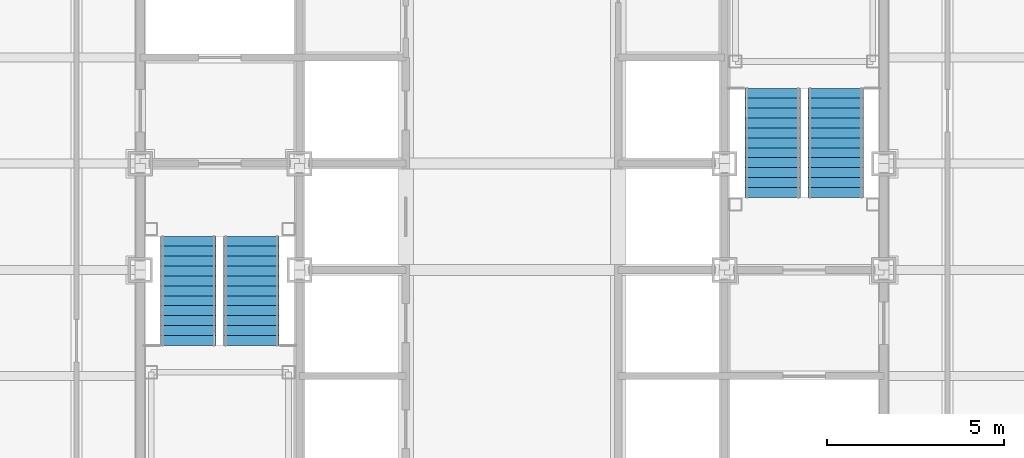
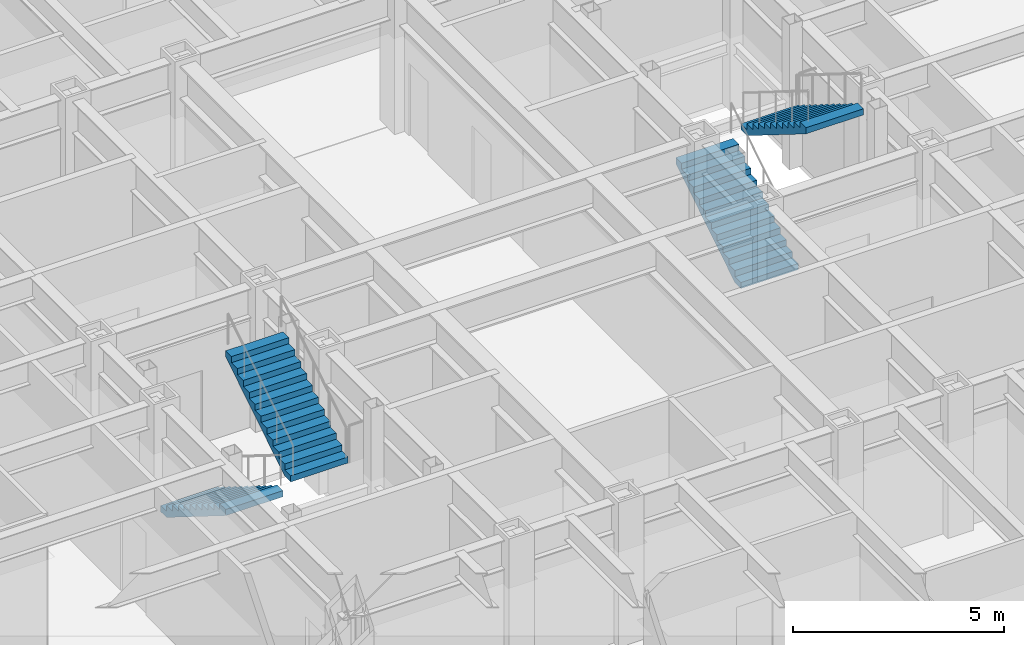
# One storey, part 13 of 16: 4 stair flights, 2 elements without a shape of their own.
"""IFC4 building model written with IfcOpenShell, lengths in metres."""

from ifc_helpers import new_model, si_unit, direction, frame, origin, place, context, subcontext, project, spatial, faceted_brep, material, type_object, element, aggregate, save


model = new_model("IFC4")

# Units and contexts
model_context = context("Model", 3, precision=1e-05, world=origin(), true_north=direction((0.0, 1.0)))
body_context = subcontext(model_context, "Body", "Model", "MODEL_VIEW")
ifc_project = project(units=[si_unit("LENGTHUNIT", "METRE"), si_unit("AREAUNIT", "SQUARE_METRE"), si_unit("VOLUMEUNIT", "CUBIC_METRE"), si_unit("PLANEANGLEUNIT", "RADIAN"), si_unit("MASSUNIT", "GRAM", prefix="KILO")], contexts=[model_context])

# Site, building, storey
site_placement = place(None, origin())
site = spatial("IfcSite", under=ifc_project, at=site_placement, CompositionType="ELEMENT")
building_placement = place(site_placement, origin())
building = spatial("IfcBuilding", under=site, at=building_placement, Name="Chuquiago Exchange Tower", CompositionType="ELEMENT")
storey_placement = place(building_placement, frame((0.0, 0.0, 119.39990234375)))
storey = spatial("IfcBuildingStorey", under=building, at=storey_placement, Name="L25", CompositionType="ELEMENT", Elevation=119.39990234375)

# Stair, stair flights
ifc_material_1 = material(Name="Concrete C30/37, precast", Category="concrete")
stair_type_1 = type_object("IfcStairType", Name="ST1 half-turn stair 4200", PredefinedType="HALF_TURN_STAIR", material=ifc_material_1)
stair_1_placement = place(storey_placement, origin())
stair_1 = element("IfcStair", 1, at=stair_1_placement, inside=storey, type_object=stair_type_1, Name="Stair ST1 L25", PredefinedType="HALF_TURN_STAIR")
ifc_material_2 = material(Name="Concrete C30/37, precast", Category="concrete")
stair_flight_type = type_object("IfcStairFlightType", Name="ST-F flight 1570 for 4200 storey", PredefinedType="STRAIGHT", material=ifc_material_2)
stair_flight_1_placement = place(storey_placement, frame((13.360107421875, 21.949951171875, 0.0), z_axis=(0.0, 0.0, 1.0), x_axis=(0.0, -1.0, 0.0)))
stair_flight_1 = element("IfcStairFlight", 2, at=stair_flight_1_placement, type_object=stair_flight_type, Name="ST1 flight 1", NumberOfRisers=12, NumberOfTreads=11, PredefinedType="STRAIGHT", RiserHeight=0.175, TreadLength=0.28, context=body_context, shape_type="Brep", body=[
    faceted_brep([(0.0, 0.78515625, 0.0), (0.0, 0.78515625, 0.175048828125), (0.280029296875, 0.78515625, 0.175048828125), (0.280029296875, 0.78515625, 0.35009765625), (0.56005859375, 0.78515625, 0.35009765625), (0.56005859375, 0.78515625, 0.52490234375), (0.840087890625, 0.78515625, 0.52490234375), (0.840087890625, 0.78515625, 0.699951171875), (1.1201171875, 0.78515625, 0.699951171875), (1.1201171875, 0.78515625, 0.875), (1.39990234375, 0.78515625, 0.875), (1.39990234375, 0.78515625, 1.050048828125), (1.679931640625, 0.78515625, 1.050048828125), (1.679931640625, 0.78515625, 1.22509765625), (1.9599609375, 0.78515625, 1.22509765625), (1.9599609375, 0.78515625, 1.39990234375), (2.239990234375, 0.78515625, 1.39990234375), (2.239990234375, 0.78515625, 1.574951171875), (2.52001953125, 0.78515625, 1.574951171875), (2.52001953125, 0.78515625, 1.75), (2.800048828125, 0.78515625, 1.75), (2.800048828125, 0.78515625, 1.925048828125), (3.080078125, 0.78515625, 1.925048828125), (3.080078125, 0.78515625, 1.748291015625), (0.28271484375, 0.78515625, 0.0), (0.28271484375, -0.78515625, 0.0), (3.080078125, -0.78515625, 1.748291015625), (3.080078125, -0.78515625, 1.925048828125), (2.800048828125, -0.78515625, 1.925048828125), (2.800048828125, -0.78515625, 1.75), (2.52001953125, -0.78515625, 1.75), (2.52001953125, -0.78515625, 1.574951171875), (2.239990234375, -0.78515625, 1.574951171875), (2.239990234375, -0.78515625, 1.39990234375), (1.9599609375, -0.78515625, 1.39990234375), (1.9599609375, -0.78515625, 1.22509765625), (1.679931640625, -0.78515625, 1.22509765625), (1.679931640625, -0.78515625, 1.050048828125), (1.39990234375, -0.78515625, 1.050048828125), (1.39990234375, -0.78515625, 0.875), (1.1201171875, -0.78515625, 0.875), (1.1201171875, -0.78515625, 0.699951171875), (0.840087890625, -0.78515625, 0.699951171875), (0.840087890625, -0.78515625, 0.52490234375), (0.56005859375, -0.78515625, 0.52490234375), (0.56005859375, -0.78515625, 0.35009765625), (0.280029296875, -0.78515625, 0.35009765625), (0.280029296875, -0.78515625, 0.175048828125), (0.0, -0.78515625, 0.175048828125), (0.0, -0.78515625, 0.0), (0.0, 0.392578125, 0.0), (0.0, 0.392578125, 0.175048828125), (0.0, 0.0, 0.0), (0.0, 0.0, 0.175048828125), (0.0, -0.392578125, 0.0), (0.0, -0.392578125, 0.175048828125), (0.280029296875, 0.392578125, 0.175048828125), (0.280029296875, 0.0, 0.175048828125), (0.280029296875, -0.392578125, 0.175048828125), (0.280029296875, 0.392578125, 0.35009765625), (0.280029296875, 0.0, 0.35009765625), (0.280029296875, -0.392578125, 0.35009765625), (0.56005859375, 0.392578125, 0.35009765625), (0.56005859375, 0.0, 0.35009765625), (0.56005859375, -0.392578125, 0.35009765625), (0.56005859375, 0.392578125, 0.52490234375), (0.56005859375, 0.0, 0.52490234375), (0.56005859375, -0.392578125, 0.52490234375), (0.840087890625, 0.392578125, 0.52490234375), (0.840087890625, 0.0, 0.52490234375), (0.840087890625, -0.392578125, 0.52490234375), (0.840087890625, 0.392578125, 0.699951171875), (0.840087890625, 0.0, 0.699951171875), (0.840087890625, -0.392578125, 0.699951171875), (1.1201171875, 0.392578125, 0.699951171875), (1.1201171875, 0.0, 0.699951171875), (1.1201171875, -0.392578125, 0.699951171875), (1.1201171875, 0.392578125, 0.875), (1.1201171875, 0.0, 0.875), (1.1201171875, -0.392578125, 0.875), (1.39990234375, 0.392578125, 0.875), (1.39990234375, 0.0, 0.875), (1.39990234375, -0.392578125, 0.875), (1.39990234375, 0.392578125, 1.050048828125), (1.39990234375, 0.0, 1.050048828125), (1.39990234375, -0.392578125, 1.050048828125), (1.679931640625, 0.392578125, 1.050048828125), (1.679931640625, 0.0, 1.050048828125), (1.679931640625, -0.392578125, 1.050048828125), (1.679931640625, 0.392578125, 1.22509765625), (1.679931640625, 0.0, 1.22509765625), (1.679931640625, -0.392578125, 1.22509765625), (1.9599609375, 0.392578125, 1.22509765625), (1.9599609375, 0.0, 1.22509765625), (1.9599609375, -0.392578125, 1.22509765625), (1.9599609375, 0.392578125, 1.39990234375), (1.9599609375, 0.0, 1.39990234375), (1.9599609375, -0.392578125, 1.39990234375), (2.239990234375, 0.392578125, 1.39990234375), (2.239990234375, 0.0, 1.39990234375), (2.239990234375, -0.392578125, 1.39990234375), (2.239990234375, 0.392578125, 1.574951171875), (2.239990234375, 0.0, 1.574951171875), (2.239990234375, -0.392578125, 1.574951171875), (2.52001953125, 0.392578125, 1.574951171875), (2.52001953125, 0.0, 1.574951171875), (2.52001953125, -0.392578125, 1.574951171875), (2.52001953125, 0.392578125, 1.75), (2.52001953125, 0.0, 1.75), (2.52001953125, -0.392578125, 1.75), (2.800048828125, 0.392578125, 1.75), (2.800048828125, 0.0, 1.75), (2.800048828125, -0.392578125, 1.75), (2.800048828125, 0.392578125, 1.925048828125), (2.800048828125, 0.0, 1.925048828125), (2.800048828125, -0.392578125, 1.925048828125), (3.080078125, 0.392578125, 1.925048828125), (3.080078125, 0.0, 1.925048828125), (3.080078125, -0.392578125, 1.925048828125), (3.080078125, 0.392578125, 1.748291015625), (3.080078125, 0.0, 1.748291015625), (3.080078125, -0.392578125, 1.748291015625), (0.28271484375, 0.392578125, 0.0), (0.28271484375, 0.0, 0.0), (0.28271484375, -0.392578125, 0.0)], [[[0, 1, 2, 3, 4, 5, 6, 7, 8, 9, 10, 11, 12, 13, 14, 15, 16, 17, 18, 19, 20, 21, 22, 23, 24]], [[25, 26, 27, 28, 29, 30, 31, 32, 33, 34, 35, 36, 37, 38, 39, 40, 41, 42, 43, 44, 45, 46, 47, 48, 49]], [[1, 0, 50, 51]], [[51, 50, 52, 53]], [[53, 52, 54, 55]], [[55, 54, 49, 48]], [[2, 1, 51, 56]], [[56, 51, 53, 57]], [[57, 53, 55, 58]], [[58, 55, 48, 47]], [[3, 2, 56, 59]], [[59, 56, 57, 60]], [[60, 57, 58, 61]], [[61, 58, 47, 46]], [[4, 3, 59, 62]], [[62, 59, 60, 63]], [[63, 60, 61, 64]], [[64, 61, 46, 45]], [[5, 4, 62, 65]], [[65, 62, 63, 66]], [[66, 63, 64, 67]], [[67, 64, 45, 44]], [[6, 5, 65, 68]], [[68, 65, 66, 69]], [[69, 66, 67, 70]], [[70, 67, 44, 43]], [[7, 6, 68, 71]], [[71, 68, 69, 72]], [[72, 69, 70, 73]], [[73, 70, 43, 42]], [[8, 7, 71, 74]], [[74, 71, 72, 75]], [[75, 72, 73, 76]], [[76, 73, 42, 41]], [[9, 8, 74, 77]], [[77, 74, 75, 78]], [[78, 75, 76, 79]], [[79, 76, 41, 40]], [[10, 9, 77, 80]], [[80, 77, 78, 81]], [[81, 78, 79, 82]], [[82, 79, 40, 39]], [[11, 10, 80, 83]], [[83, 80, 81, 84]], [[84, 81, 82, 85]], [[85, 82, 39, 38]], [[12, 11, 83, 86]], [[86, 83, 84, 87]], [[87, 84, 85, 88]], [[88, 85, 38, 37]], [[13, 12, 86, 89]], [[89, 86, 87, 90]], [[90, 87, 88, 91]], [[91, 88, 37, 36]], [[14, 13, 89, 92]], [[92, 89, 90, 93]], [[93, 90, 91, 94]], [[94, 91, 36, 35]], [[15, 14, 92, 95]], [[95, 92, 93, 96]], [[96, 93, 94, 97]], [[97, 94, 35, 34]], [[16, 15, 95, 98]], [[98, 95, 96, 99]], [[99, 96, 97, 100]], [[100, 97, 34, 33]], [[17, 16, 98, 101]], [[101, 98, 99, 102]], [[102, 99, 100, 103]], [[103, 100, 33, 32]], [[18, 17, 101, 104]], [[104, 101, 102, 105]], [[105, 102, 103, 106]], [[106, 103, 32, 31]], [[19, 18, 104, 107]], [[107, 104, 105, 108]], [[108, 105, 106, 109]], [[109, 106, 31, 30]], [[20, 19, 107, 110]], [[110, 107, 108, 111]], [[111, 108, 109, 112]], [[112, 109, 30, 29]], [[21, 20, 110, 113]], [[113, 110, 111, 114]], [[114, 111, 112, 115]], [[115, 112, 29, 28]], [[22, 21, 113, 116]], [[116, 113, 114, 117]], [[117, 114, 115, 118]], [[118, 115, 28, 27]], [[23, 22, 116, 119]], [[119, 116, 117, 120]], [[120, 117, 118, 121]], [[121, 118, 27, 26]], [[24, 23, 119, 122]], [[122, 119, 120, 123]], [[123, 120, 121, 124]], [[124, 121, 26, 25]], [[0, 24, 122, 50]], [[50, 122, 123, 52]], [[52, 123, 124, 54]], [[54, 124, 25, 49]]]),
])
stair_flight_2_placement = place(storey_placement, frame((15.139892578125, 18.8701171875, 2.10009765625), z_axis=(0.0, 0.0, 1.0), x_axis=(0.0, 1.0, 0.0)))
stair_flight_2 = element("IfcStairFlight", 3, at=stair_flight_2_placement, type_object=stair_flight_type, Name="ST1 flight 2", NumberOfRisers=12, NumberOfTreads=11, PredefinedType="STRAIGHT", RiserHeight=0.175, TreadLength=0.28, context=body_context, shape_type="Brep", body=[
    faceted_brep([(0.0, 0.78515625, 0.0), (0.0, 0.78515625, 0.175048828125), (0.280029296875, 0.78515625, 0.175048828125), (0.280029296875, 0.78515625, 0.35009765625), (0.56005859375, 0.78515625, 0.35009765625), (0.56005859375, 0.78515625, 0.52490234375), (0.840087890625, 0.78515625, 0.52490234375), (0.840087890625, 0.78515625, 0.699951171875), (1.1201171875, 0.78515625, 0.699951171875), (1.1201171875, 0.78515625, 0.875), (1.39990234375, 0.78515625, 0.875), (1.39990234375, 0.78515625, 1.050048828125), (1.679931640625, 0.78515625, 1.050048828125), (1.679931640625, 0.78515625, 1.22509765625), (1.9599609375, 0.78515625, 1.22509765625), (1.9599609375, 0.78515625, 1.39990234375), (2.239990234375, 0.78515625, 1.39990234375), (2.239990234375, 0.78515625, 1.574951171875), (2.52001953125, 0.78515625, 1.574951171875), (2.52001953125, 0.78515625, 1.75), (2.800048828125, 0.78515625, 1.75), (2.800048828125, 0.78515625, 1.925048828125), (3.080078125, 0.78515625, 1.925048828125), (3.080078125, 0.78515625, 1.748291015625), (0.28271484375, 0.78515625, 0.0), (0.28271484375, -0.78515625, 0.0), (3.080078125, -0.78515625, 1.748291015625), (3.080078125, -0.78515625, 1.925048828125), (2.800048828125, -0.78515625, 1.925048828125), (2.800048828125, -0.78515625, 1.75), (2.52001953125, -0.78515625, 1.75), (2.52001953125, -0.78515625, 1.574951171875), (2.239990234375, -0.78515625, 1.574951171875), (2.239990234375, -0.78515625, 1.39990234375), (1.9599609375, -0.78515625, 1.39990234375), (1.9599609375, -0.78515625, 1.22509765625), (1.679931640625, -0.78515625, 1.22509765625), (1.679931640625, -0.78515625, 1.050048828125), (1.39990234375, -0.78515625, 1.050048828125), (1.39990234375, -0.78515625, 0.875), (1.1201171875, -0.78515625, 0.875), (1.1201171875, -0.78515625, 0.699951171875), (0.840087890625, -0.78515625, 0.699951171875), (0.840087890625, -0.78515625, 0.52490234375), (0.56005859375, -0.78515625, 0.52490234375), (0.56005859375, -0.78515625, 0.35009765625), (0.280029296875, -0.78515625, 0.35009765625), (0.280029296875, -0.78515625, 0.175048828125), (0.0, -0.78515625, 0.175048828125), (0.0, -0.78515625, 0.0), (0.0, 0.392578125, 0.0), (0.0, 0.392578125, 0.175048828125), (0.0, 0.0, 0.0), (0.0, 0.0, 0.175048828125), (0.0, -0.392578125, 0.0), (0.0, -0.392578125, 0.175048828125), (0.280029296875, 0.392578125, 0.175048828125), (0.280029296875, 0.0, 0.175048828125), (0.280029296875, -0.392578125, 0.175048828125), (0.280029296875, 0.392578125, 0.35009765625), (0.280029296875, 0.0, 0.35009765625), (0.280029296875, -0.392578125, 0.35009765625), (0.56005859375, 0.392578125, 0.35009765625), (0.56005859375, 0.0, 0.35009765625), (0.56005859375, -0.392578125, 0.35009765625), (0.56005859375, 0.392578125, 0.52490234375), (0.56005859375, 0.0, 0.52490234375), (0.56005859375, -0.392578125, 0.52490234375), (0.840087890625, 0.392578125, 0.52490234375), (0.840087890625, 0.0, 0.52490234375), (0.840087890625, -0.392578125, 0.52490234375), (0.840087890625, 0.392578125, 0.699951171875), (0.840087890625, 0.0, 0.699951171875), (0.840087890625, -0.392578125, 0.699951171875), (1.1201171875, 0.392578125, 0.699951171875), (1.1201171875, 0.0, 0.699951171875), (1.1201171875, -0.392578125, 0.699951171875), (1.1201171875, 0.392578125, 0.875), (1.1201171875, 0.0, 0.875), (1.1201171875, -0.392578125, 0.875), (1.39990234375, 0.392578125, 0.875), (1.39990234375, 0.0, 0.875), (1.39990234375, -0.392578125, 0.875), (1.39990234375, 0.392578125, 1.050048828125), (1.39990234375, 0.0, 1.050048828125), (1.39990234375, -0.392578125, 1.050048828125), (1.679931640625, 0.392578125, 1.050048828125), (1.679931640625, 0.0, 1.050048828125), (1.679931640625, -0.392578125, 1.050048828125), (1.679931640625, 0.392578125, 1.22509765625), (1.679931640625, 0.0, 1.22509765625), (1.679931640625, -0.392578125, 1.22509765625), (1.9599609375, 0.392578125, 1.22509765625), (1.9599609375, 0.0, 1.22509765625), (1.9599609375, -0.392578125, 1.22509765625), (1.9599609375, 0.392578125, 1.39990234375), (1.9599609375, 0.0, 1.39990234375), (1.9599609375, -0.392578125, 1.39990234375), (2.239990234375, 0.392578125, 1.39990234375), (2.239990234375, 0.0, 1.39990234375), (2.239990234375, -0.392578125, 1.39990234375), (2.239990234375, 0.392578125, 1.574951171875), (2.239990234375, 0.0, 1.574951171875), (2.239990234375, -0.392578125, 1.574951171875), (2.52001953125, 0.392578125, 1.574951171875), (2.52001953125, 0.0, 1.574951171875), (2.52001953125, -0.392578125, 1.574951171875), (2.52001953125, 0.392578125, 1.75), (2.52001953125, 0.0, 1.75), (2.52001953125, -0.392578125, 1.75), (2.800048828125, 0.392578125, 1.75), (2.800048828125, 0.0, 1.75), (2.800048828125, -0.392578125, 1.75), (2.800048828125, 0.392578125, 1.925048828125), (2.800048828125, 0.0, 1.925048828125), (2.800048828125, -0.392578125, 1.925048828125), (3.080078125, 0.392578125, 1.925048828125), (3.080078125, 0.0, 1.925048828125), (3.080078125, -0.392578125, 1.925048828125), (3.080078125, 0.392578125, 1.748291015625), (3.080078125, 0.0, 1.748291015625), (3.080078125, -0.392578125, 1.748291015625), (0.28271484375, 0.392578125, 0.0), (0.28271484375, 0.0, 0.0), (0.28271484375, -0.392578125, 0.0)], [[[0, 1, 2, 3, 4, 5, 6, 7, 8, 9, 10, 11, 12, 13, 14, 15, 16, 17, 18, 19, 20, 21, 22, 23, 24]], [[25, 26, 27, 28, 29, 30, 31, 32, 33, 34, 35, 36, 37, 38, 39, 40, 41, 42, 43, 44, 45, 46, 47, 48, 49]], [[1, 0, 50, 51]], [[51, 50, 52, 53]], [[53, 52, 54, 55]], [[55, 54, 49, 48]], [[2, 1, 51, 56]], [[56, 51, 53, 57]], [[57, 53, 55, 58]], [[58, 55, 48, 47]], [[3, 2, 56, 59]], [[59, 56, 57, 60]], [[60, 57, 58, 61]], [[61, 58, 47, 46]], [[4, 3, 59, 62]], [[62, 59, 60, 63]], [[63, 60, 61, 64]], [[64, 61, 46, 45]], [[5, 4, 62, 65]], [[65, 62, 63, 66]], [[66, 63, 64, 67]], [[67, 64, 45, 44]], [[6, 5, 65, 68]], [[68, 65, 66, 69]], [[69, 66, 67, 70]], [[70, 67, 44, 43]], [[7, 6, 68, 71]], [[71, 68, 69, 72]], [[72, 69, 70, 73]], [[73, 70, 43, 42]], [[8, 7, 71, 74]], [[74, 71, 72, 75]], [[75, 72, 73, 76]], [[76, 73, 42, 41]], [[9, 8, 74, 77]], [[77, 74, 75, 78]], [[78, 75, 76, 79]], [[79, 76, 41, 40]], [[10, 9, 77, 80]], [[80, 77, 78, 81]], [[81, 78, 79, 82]], [[82, 79, 40, 39]], [[11, 10, 80, 83]], [[83, 80, 81, 84]], [[84, 81, 82, 85]], [[85, 82, 39, 38]], [[12, 11, 83, 86]], [[86, 83, 84, 87]], [[87, 84, 85, 88]], [[88, 85, 38, 37]], [[13, 12, 86, 89]], [[89, 86, 87, 90]], [[90, 87, 88, 91]], [[91, 88, 37, 36]], [[14, 13, 89, 92]], [[92, 89, 90, 93]], [[93, 90, 91, 94]], [[94, 91, 36, 35]], [[15, 14, 92, 95]], [[95, 92, 93, 96]], [[96, 93, 94, 97]], [[97, 94, 35, 34]], [[16, 15, 95, 98]], [[98, 95, 96, 99]], [[99, 96, 97, 100]], [[100, 97, 34, 33]], [[17, 16, 98, 101]], [[101, 98, 99, 102]], [[102, 99, 100, 103]], [[103, 100, 33, 32]], [[18, 17, 101, 104]], [[104, 101, 102, 105]], [[105, 102, 103, 106]], [[106, 103, 32, 31]], [[19, 18, 104, 107]], [[107, 104, 105, 108]], [[108, 105, 106, 109]], [[109, 106, 31, 30]], [[20, 19, 107, 110]], [[110, 107, 108, 111]], [[111, 108, 109, 112]], [[112, 109, 30, 29]], [[21, 20, 110, 113]], [[113, 110, 111, 114]], [[114, 111, 112, 115]], [[115, 112, 29, 28]], [[22, 21, 113, 116]], [[116, 113, 114, 117]], [[117, 114, 115, 118]], [[118, 115, 28, 27]], [[23, 22, 116, 119]], [[119, 116, 117, 120]], [[120, 117, 118, 121]], [[121, 118, 27, 26]], [[24, 23, 119, 122]], [[122, 119, 120, 123]], [[123, 120, 121, 124]], [[124, 121, 26, 25]], [[0, 24, 122, 50]], [[50, 122, 123, 52]], [[52, 123, 124, 54]], [[54, 124, 25, 49]]]),
])
aggregate(stair_1, [stair_flight_1, stair_flight_2])

ifc_material_3 = material(Name="Concrete C30/37, precast", Category="concrete")
stair_type_2 = type_object("IfcStairType", Name="ST2 half-turn stair 4200", PredefinedType="HALF_TURN_STAIR", material=ifc_material_3)
stair_2_placement = place(storey_placement, origin())
stair_2 = element("IfcStair", 4, at=stair_2_placement, inside=storey, type_object=stair_type_2, Name="Stair ST2 L25", PredefinedType="HALF_TURN_STAIR")
stair_flight_3_placement = place(storey_placement, frame((29.860107421875, 23.050048828125, 0.0), z_axis=(0.0, 0.0, 1.0), x_axis=(0.0, 1.0, 0.0)))
stair_flight_3 = element("IfcStairFlight", 5, at=stair_flight_3_placement, type_object=stair_flight_type, Name="ST2 flight 1", NumberOfRisers=12, NumberOfTreads=11, PredefinedType="STRAIGHT", RiserHeight=0.175, TreadLength=0.28, context=body_context, shape_type="Brep", body=[
    faceted_brep([(0.0, 0.78515625, 0.0), (0.0, 0.78515625, 0.175048828125), (0.280029296875, 0.78515625, 0.175048828125), (0.280029296875, 0.78515625, 0.35009765625), (0.56005859375, 0.78515625, 0.35009765625), (0.56005859375, 0.78515625, 0.52490234375), (0.840087890625, 0.78515625, 0.52490234375), (0.840087890625, 0.78515625, 0.699951171875), (1.1201171875, 0.78515625, 0.699951171875), (1.1201171875, 0.78515625, 0.875), (1.39990234375, 0.78515625, 0.875), (1.39990234375, 0.78515625, 1.050048828125), (1.679931640625, 0.78515625, 1.050048828125), (1.679931640625, 0.78515625, 1.22509765625), (1.9599609375, 0.78515625, 1.22509765625), (1.9599609375, 0.78515625, 1.39990234375), (2.239990234375, 0.78515625, 1.39990234375), (2.239990234375, 0.78515625, 1.574951171875), (2.52001953125, 0.78515625, 1.574951171875), (2.52001953125, 0.78515625, 1.75), (2.800048828125, 0.78515625, 1.75), (2.800048828125, 0.78515625, 1.925048828125), (3.080078125, 0.78515625, 1.925048828125), (3.080078125, 0.78515625, 1.748291015625), (0.28271484375, 0.78515625, 0.0), (0.28271484375, -0.78515625, 0.0), (3.080078125, -0.78515625, 1.748291015625), (3.080078125, -0.78515625, 1.925048828125), (2.800048828125, -0.78515625, 1.925048828125), (2.800048828125, -0.78515625, 1.75), (2.52001953125, -0.78515625, 1.75), (2.52001953125, -0.78515625, 1.574951171875), (2.239990234375, -0.78515625, 1.574951171875), (2.239990234375, -0.78515625, 1.39990234375), (1.9599609375, -0.78515625, 1.39990234375), (1.9599609375, -0.78515625, 1.22509765625), (1.679931640625, -0.78515625, 1.22509765625), (1.679931640625, -0.78515625, 1.050048828125), (1.39990234375, -0.78515625, 1.050048828125), (1.39990234375, -0.78515625, 0.875), (1.1201171875, -0.78515625, 0.875), (1.1201171875, -0.78515625, 0.699951171875), (0.840087890625, -0.78515625, 0.699951171875), (0.840087890625, -0.78515625, 0.52490234375), (0.56005859375, -0.78515625, 0.52490234375), (0.56005859375, -0.78515625, 0.35009765625), (0.280029296875, -0.78515625, 0.35009765625), (0.280029296875, -0.78515625, 0.175048828125), (0.0, -0.78515625, 0.175048828125), (0.0, -0.78515625, 0.0), (0.0, 0.392578125, 0.0), (0.0, 0.392578125, 0.175048828125), (0.0, 0.0, 0.0), (0.0, 0.0, 0.175048828125), (0.0, -0.392578125, 0.0), (0.0, -0.392578125, 0.175048828125), (0.280029296875, 0.392578125, 0.175048828125), (0.280029296875, 0.0, 0.175048828125), (0.280029296875, -0.392578125, 0.175048828125), (0.280029296875, 0.392578125, 0.35009765625), (0.280029296875, 0.0, 0.35009765625), (0.280029296875, -0.392578125, 0.35009765625), (0.56005859375, 0.392578125, 0.35009765625), (0.56005859375, 0.0, 0.35009765625), (0.56005859375, -0.392578125, 0.35009765625), (0.56005859375, 0.392578125, 0.52490234375), (0.56005859375, 0.0, 0.52490234375), (0.56005859375, -0.392578125, 0.52490234375), (0.840087890625, 0.392578125, 0.52490234375), (0.840087890625, 0.0, 0.52490234375), (0.840087890625, -0.392578125, 0.52490234375), (0.840087890625, 0.392578125, 0.699951171875), (0.840087890625, 0.0, 0.699951171875), (0.840087890625, -0.392578125, 0.699951171875), (1.1201171875, 0.392578125, 0.699951171875), (1.1201171875, 0.0, 0.699951171875), (1.1201171875, -0.392578125, 0.699951171875), (1.1201171875, 0.392578125, 0.875), (1.1201171875, 0.0, 0.875), (1.1201171875, -0.392578125, 0.875), (1.39990234375, 0.392578125, 0.875), (1.39990234375, 0.0, 0.875), (1.39990234375, -0.392578125, 0.875), (1.39990234375, 0.392578125, 1.050048828125), (1.39990234375, 0.0, 1.050048828125), (1.39990234375, -0.392578125, 1.050048828125), (1.679931640625, 0.392578125, 1.050048828125), (1.679931640625, 0.0, 1.050048828125), (1.679931640625, -0.392578125, 1.050048828125), (1.679931640625, 0.392578125, 1.22509765625), (1.679931640625, 0.0, 1.22509765625), (1.679931640625, -0.392578125, 1.22509765625), (1.9599609375, 0.392578125, 1.22509765625), (1.9599609375, 0.0, 1.22509765625), (1.9599609375, -0.392578125, 1.22509765625), (1.9599609375, 0.392578125, 1.39990234375), (1.9599609375, 0.0, 1.39990234375), (1.9599609375, -0.392578125, 1.39990234375), (2.239990234375, 0.392578125, 1.39990234375), (2.239990234375, 0.0, 1.39990234375), (2.239990234375, -0.392578125, 1.39990234375), (2.239990234375, 0.392578125, 1.574951171875), (2.239990234375, 0.0, 1.574951171875), (2.239990234375, -0.392578125, 1.574951171875), (2.52001953125, 0.392578125, 1.574951171875), (2.52001953125, 0.0, 1.574951171875), (2.52001953125, -0.392578125, 1.574951171875), (2.52001953125, 0.392578125, 1.75), (2.52001953125, 0.0, 1.75), (2.52001953125, -0.392578125, 1.75), (2.800048828125, 0.392578125, 1.75), (2.800048828125, 0.0, 1.75), (2.800048828125, -0.392578125, 1.75), (2.800048828125, 0.392578125, 1.925048828125), (2.800048828125, 0.0, 1.925048828125), (2.800048828125, -0.392578125, 1.925048828125), (3.080078125, 0.392578125, 1.925048828125), (3.080078125, 0.0, 1.925048828125), (3.080078125, -0.392578125, 1.925048828125), (3.080078125, 0.392578125, 1.748291015625), (3.080078125, 0.0, 1.748291015625), (3.080078125, -0.392578125, 1.748291015625), (0.28271484375, 0.392578125, 0.0), (0.28271484375, 0.0, 0.0), (0.28271484375, -0.392578125, 0.0)], [[[0, 1, 2, 3, 4, 5, 6, 7, 8, 9, 10, 11, 12, 13, 14, 15, 16, 17, 18, 19, 20, 21, 22, 23, 24]], [[25, 26, 27, 28, 29, 30, 31, 32, 33, 34, 35, 36, 37, 38, 39, 40, 41, 42, 43, 44, 45, 46, 47, 48, 49]], [[1, 0, 50, 51]], [[51, 50, 52, 53]], [[53, 52, 54, 55]], [[55, 54, 49, 48]], [[2, 1, 51, 56]], [[56, 51, 53, 57]], [[57, 53, 55, 58]], [[58, 55, 48, 47]], [[3, 2, 56, 59]], [[59, 56, 57, 60]], [[60, 57, 58, 61]], [[61, 58, 47, 46]], [[4, 3, 59, 62]], [[62, 59, 60, 63]], [[63, 60, 61, 64]], [[64, 61, 46, 45]], [[5, 4, 62, 65]], [[65, 62, 63, 66]], [[66, 63, 64, 67]], [[67, 64, 45, 44]], [[6, 5, 65, 68]], [[68, 65, 66, 69]], [[69, 66, 67, 70]], [[70, 67, 44, 43]], [[7, 6, 68, 71]], [[71, 68, 69, 72]], [[72, 69, 70, 73]], [[73, 70, 43, 42]], [[8, 7, 71, 74]], [[74, 71, 72, 75]], [[75, 72, 73, 76]], [[76, 73, 42, 41]], [[9, 8, 74, 77]], [[77, 74, 75, 78]], [[78, 75, 76, 79]], [[79, 76, 41, 40]], [[10, 9, 77, 80]], [[80, 77, 78, 81]], [[81, 78, 79, 82]], [[82, 79, 40, 39]], [[11, 10, 80, 83]], [[83, 80, 81, 84]], [[84, 81, 82, 85]], [[85, 82, 39, 38]], [[12, 11, 83, 86]], [[86, 83, 84, 87]], [[87, 84, 85, 88]], [[88, 85, 38, 37]], [[13, 12, 86, 89]], [[89, 86, 87, 90]], [[90, 87, 88, 91]], [[91, 88, 37, 36]], [[14, 13, 89, 92]], [[92, 89, 90, 93]], [[93, 90, 91, 94]], [[94, 91, 36, 35]], [[15, 14, 92, 95]], [[95, 92, 93, 96]], [[96, 93, 94, 97]], [[97, 94, 35, 34]], [[16, 15, 95, 98]], [[98, 95, 96, 99]], [[99, 96, 97, 100]], [[100, 97, 34, 33]], [[17, 16, 98, 101]], [[101, 98, 99, 102]], [[102, 99, 100, 103]], [[103, 100, 33, 32]], [[18, 17, 101, 104]], [[104, 101, 102, 105]], [[105, 102, 103, 106]], [[106, 103, 32, 31]], [[19, 18, 104, 107]], [[107, 104, 105, 108]], [[108, 105, 106, 109]], [[109, 106, 31, 30]], [[20, 19, 107, 110]], [[110, 107, 108, 111]], [[111, 108, 109, 112]], [[112, 109, 30, 29]], [[21, 20, 110, 113]], [[113, 110, 111, 114]], [[114, 111, 112, 115]], [[115, 112, 29, 28]], [[22, 21, 113, 116]], [[116, 113, 114, 117]], [[117, 114, 115, 118]], [[118, 115, 28, 27]], [[23, 22, 116, 119]], [[119, 116, 117, 120]], [[120, 117, 118, 121]], [[121, 118, 27, 26]], [[24, 23, 119, 122]], [[122, 119, 120, 123]], [[123, 120, 121, 124]], [[124, 121, 26, 25]], [[0, 24, 122, 50]], [[50, 122, 123, 52]], [[52, 123, 124, 54]], [[54, 124, 25, 49]]]),
])
stair_flight_4_placement = place(storey_placement, frame((31.639892578125, 26.1298828125, 2.10009765625), z_axis=(0.0, 0.0, 1.0), x_axis=(0.0, -1.0, 0.0)))
stair_flight_4 = element("IfcStairFlight", 6, at=stair_flight_4_placement, type_object=stair_flight_type, Name="ST2 flight 2", NumberOfRisers=12, NumberOfTreads=11, PredefinedType="STRAIGHT", RiserHeight=0.175, TreadLength=0.28, context=body_context, shape_type="Brep", body=[
    faceted_brep([(0.0, 0.78515625, 0.0), (0.0, 0.78515625, 0.175048828125), (0.280029296875, 0.78515625, 0.175048828125), (0.280029296875, 0.78515625, 0.35009765625), (0.56005859375, 0.78515625, 0.35009765625), (0.56005859375, 0.78515625, 0.52490234375), (0.840087890625, 0.78515625, 0.52490234375), (0.840087890625, 0.78515625, 0.699951171875), (1.1201171875, 0.78515625, 0.699951171875), (1.1201171875, 0.78515625, 0.875), (1.39990234375, 0.78515625, 0.875), (1.39990234375, 0.78515625, 1.050048828125), (1.679931640625, 0.78515625, 1.050048828125), (1.679931640625, 0.78515625, 1.22509765625), (1.9599609375, 0.78515625, 1.22509765625), (1.9599609375, 0.78515625, 1.39990234375), (2.239990234375, 0.78515625, 1.39990234375), (2.239990234375, 0.78515625, 1.574951171875), (2.52001953125, 0.78515625, 1.574951171875), (2.52001953125, 0.78515625, 1.75), (2.800048828125, 0.78515625, 1.75), (2.800048828125, 0.78515625, 1.925048828125), (3.080078125, 0.78515625, 1.925048828125), (3.080078125, 0.78515625, 1.748291015625), (0.28271484375, 0.78515625, 0.0), (0.28271484375, -0.78515625, 0.0), (3.080078125, -0.78515625, 1.748291015625), (3.080078125, -0.78515625, 1.925048828125), (2.800048828125, -0.78515625, 1.925048828125), (2.800048828125, -0.78515625, 1.75), (2.52001953125, -0.78515625, 1.75), (2.52001953125, -0.78515625, 1.574951171875), (2.239990234375, -0.78515625, 1.574951171875), (2.239990234375, -0.78515625, 1.39990234375), (1.9599609375, -0.78515625, 1.39990234375), (1.9599609375, -0.78515625, 1.22509765625), (1.679931640625, -0.78515625, 1.22509765625), (1.679931640625, -0.78515625, 1.050048828125), (1.39990234375, -0.78515625, 1.050048828125), (1.39990234375, -0.78515625, 0.875), (1.1201171875, -0.78515625, 0.875), (1.1201171875, -0.78515625, 0.699951171875), (0.840087890625, -0.78515625, 0.699951171875), (0.840087890625, -0.78515625, 0.52490234375), (0.56005859375, -0.78515625, 0.52490234375), (0.56005859375, -0.78515625, 0.35009765625), (0.280029296875, -0.78515625, 0.35009765625), (0.280029296875, -0.78515625, 0.175048828125), (0.0, -0.78515625, 0.175048828125), (0.0, -0.78515625, 0.0), (0.0, 0.392578125, 0.0), (0.0, 0.392578125, 0.175048828125), (0.0, 0.0, 0.0), (0.0, 0.0, 0.175048828125), (0.0, -0.392578125, 0.0), (0.0, -0.392578125, 0.175048828125), (0.280029296875, 0.392578125, 0.175048828125), (0.280029296875, 0.0, 0.175048828125), (0.280029296875, -0.392578125, 0.175048828125), (0.280029296875, 0.392578125, 0.35009765625), (0.280029296875, 0.0, 0.35009765625), (0.280029296875, -0.392578125, 0.35009765625), (0.56005859375, 0.392578125, 0.35009765625), (0.56005859375, 0.0, 0.35009765625), (0.56005859375, -0.392578125, 0.35009765625), (0.56005859375, 0.392578125, 0.52490234375), (0.56005859375, 0.0, 0.52490234375), (0.56005859375, -0.392578125, 0.52490234375), (0.840087890625, 0.392578125, 0.52490234375), (0.840087890625, 0.0, 0.52490234375), (0.840087890625, -0.392578125, 0.52490234375), (0.840087890625, 0.392578125, 0.699951171875), (0.840087890625, 0.0, 0.699951171875), (0.840087890625, -0.392578125, 0.699951171875), (1.1201171875, 0.392578125, 0.699951171875), (1.1201171875, 0.0, 0.699951171875), (1.1201171875, -0.392578125, 0.699951171875), (1.1201171875, 0.392578125, 0.875), (1.1201171875, 0.0, 0.875), (1.1201171875, -0.392578125, 0.875), (1.39990234375, 0.392578125, 0.875), (1.39990234375, 0.0, 0.875), (1.39990234375, -0.392578125, 0.875), (1.39990234375, 0.392578125, 1.050048828125), (1.39990234375, 0.0, 1.050048828125), (1.39990234375, -0.392578125, 1.050048828125), (1.679931640625, 0.392578125, 1.050048828125), (1.679931640625, 0.0, 1.050048828125), (1.679931640625, -0.392578125, 1.050048828125), (1.679931640625, 0.392578125, 1.22509765625), (1.679931640625, 0.0, 1.22509765625), (1.679931640625, -0.392578125, 1.22509765625), (1.9599609375, 0.392578125, 1.22509765625), (1.9599609375, 0.0, 1.22509765625), (1.9599609375, -0.392578125, 1.22509765625), (1.9599609375, 0.392578125, 1.39990234375), (1.9599609375, 0.0, 1.39990234375), (1.9599609375, -0.392578125, 1.39990234375), (2.239990234375, 0.392578125, 1.39990234375), (2.239990234375, 0.0, 1.39990234375), (2.239990234375, -0.392578125, 1.39990234375), (2.239990234375, 0.392578125, 1.574951171875), (2.239990234375, 0.0, 1.574951171875), (2.239990234375, -0.392578125, 1.574951171875), (2.52001953125, 0.392578125, 1.574951171875), (2.52001953125, 0.0, 1.574951171875), (2.52001953125, -0.392578125, 1.574951171875), (2.52001953125, 0.392578125, 1.75), (2.52001953125, 0.0, 1.75), (2.52001953125, -0.392578125, 1.75), (2.800048828125, 0.392578125, 1.75), (2.800048828125, 0.0, 1.75), (2.800048828125, -0.392578125, 1.75), (2.800048828125, 0.392578125, 1.925048828125), (2.800048828125, 0.0, 1.925048828125), (2.800048828125, -0.392578125, 1.925048828125), (3.080078125, 0.392578125, 1.925048828125), (3.080078125, 0.0, 1.925048828125), (3.080078125, -0.392578125, 1.925048828125), (3.080078125, 0.392578125, 1.748291015625), (3.080078125, 0.0, 1.748291015625), (3.080078125, -0.392578125, 1.748291015625), (0.28271484375, 0.392578125, 0.0), (0.28271484375, 0.0, 0.0), (0.28271484375, -0.392578125, 0.0)], [[[0, 1, 2, 3, 4, 5, 6, 7, 8, 9, 10, 11, 12, 13, 14, 15, 16, 17, 18, 19, 20, 21, 22, 23, 24]], [[25, 26, 27, 28, 29, 30, 31, 32, 33, 34, 35, 36, 37, 38, 39, 40, 41, 42, 43, 44, 45, 46, 47, 48, 49]], [[1, 0, 50, 51]], [[51, 50, 52, 53]], [[53, 52, 54, 55]], [[55, 54, 49, 48]], [[2, 1, 51, 56]], [[56, 51, 53, 57]], [[57, 53, 55, 58]], [[58, 55, 48, 47]], [[3, 2, 56, 59]], [[59, 56, 57, 60]], [[60, 57, 58, 61]], [[61, 58, 47, 46]], [[4, 3, 59, 62]], [[62, 59, 60, 63]], [[63, 60, 61, 64]], [[64, 61, 46, 45]], [[5, 4, 62, 65]], [[65, 62, 63, 66]], [[66, 63, 64, 67]], [[67, 64, 45, 44]], [[6, 5, 65, 68]], [[68, 65, 66, 69]], [[69, 66, 67, 70]], [[70, 67, 44, 43]], [[7, 6, 68, 71]], [[71, 68, 69, 72]], [[72, 69, 70, 73]], [[73, 70, 43, 42]], [[8, 7, 71, 74]], [[74, 71, 72, 75]], [[75, 72, 73, 76]], [[76, 73, 42, 41]], [[9, 8, 74, 77]], [[77, 74, 75, 78]], [[78, 75, 76, 79]], [[79, 76, 41, 40]], [[10, 9, 77, 80]], [[80, 77, 78, 81]], [[81, 78, 79, 82]], [[82, 79, 40, 39]], [[11, 10, 80, 83]], [[83, 80, 81, 84]], [[84, 81, 82, 85]], [[85, 82, 39, 38]], [[12, 11, 83, 86]], [[86, 83, 84, 87]], [[87, 84, 85, 88]], [[88, 85, 38, 37]], [[13, 12, 86, 89]], [[89, 86, 87, 90]], [[90, 87, 88, 91]], [[91, 88, 37, 36]], [[14, 13, 89, 92]], [[92, 89, 90, 93]], [[93, 90, 91, 94]], [[94, 91, 36, 35]], [[15, 14, 92, 95]], [[95, 92, 93, 96]], [[96, 93, 94, 97]], [[97, 94, 35, 34]], [[16, 15, 95, 98]], [[98, 95, 96, 99]], [[99, 96, 97, 100]], [[100, 97, 34, 33]], [[17, 16, 98, 101]], [[101, 98, 99, 102]], [[102, 99, 100, 103]], [[103, 100, 33, 32]], [[18, 17, 101, 104]], [[104, 101, 102, 105]], [[105, 102, 103, 106]], [[106, 103, 32, 31]], [[19, 18, 104, 107]], [[107, 104, 105, 108]], [[108, 105, 106, 109]], [[109, 106, 31, 30]], [[20, 19, 107, 110]], [[110, 107, 108, 111]], [[111, 108, 109, 112]], [[112, 109, 30, 29]], [[21, 20, 110, 113]], [[113, 110, 111, 114]], [[114, 111, 112, 115]], [[115, 112, 29, 28]], [[22, 21, 113, 116]], [[116, 113, 114, 117]], [[117, 114, 115, 118]], [[118, 115, 28, 27]], [[23, 22, 116, 119]], [[119, 116, 117, 120]], [[120, 117, 118, 121]], [[121, 118, 27, 26]], [[24, 23, 119, 122]], [[122, 119, 120, 123]], [[123, 120, 121, 124]], [[124, 121, 26, 25]], [[0, 24, 122, 50]], [[50, 122, 123, 52]], [[52, 123, 124, 54]], [[54, 124, 25, 49]]]),
])
aggregate(stair_2, [stair_flight_3, stair_flight_4])

save(model, "model.ifc")
